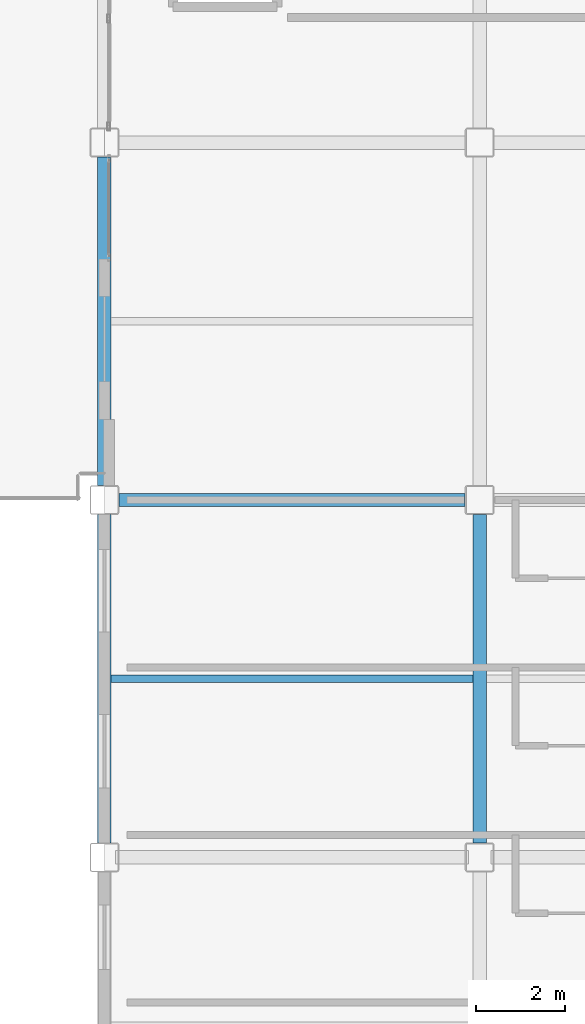
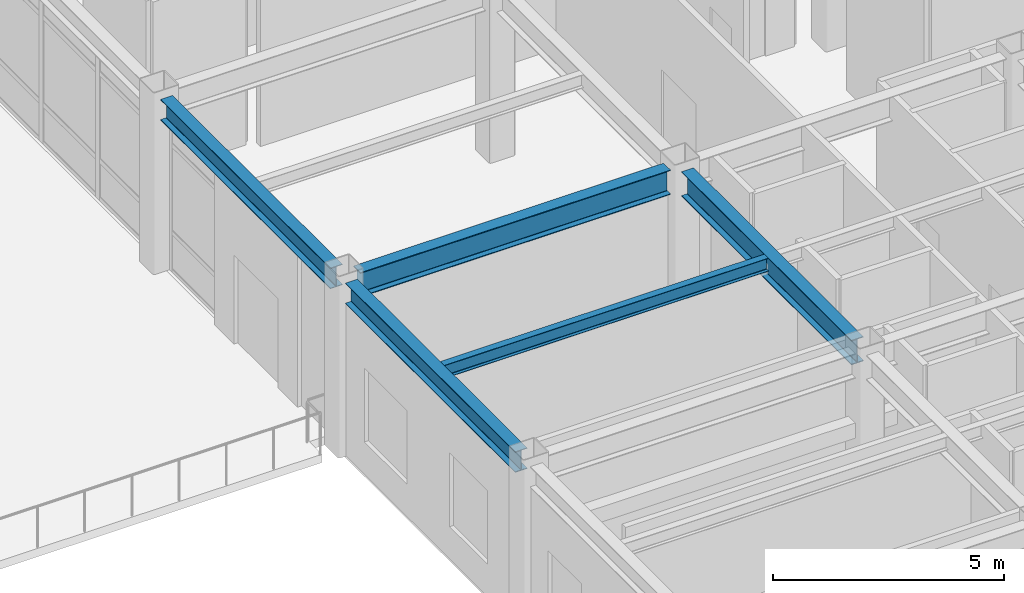
# One storey, part 16 of 61: 5 beams.
"""IFC4 building model written with IfcOpenShell, lengths in metres."""

import ifcopenshell
import ifcopenshell.guid

model = None  # the IFC model being written
_history = None  # IfcOwnerHistory: only IFC2X3 demands one
_inside = {}  # id of a spatial element -> (the spatial element, [elements in it])
_under = {}  # id of a project, library or spatial element -> (it, [spatial elements below it])
_declared = {}  # id of a project -> (the project, [libraries it declares])
_typed = {}  # id of a type object -> (the type object, [elements of that type])
_made_of = {}  # id of a material, layer set ... -> (it, [elements and type objects made of it])


def new_model(schema):
    """Start an empty IFC model of exactly this schema.

    Asked for "IFC4X3", IfcOpenShell would pick the latest addendum, in which some entities
    have other attributes; the version numbers below select the first issue.
    IFC2X3 requires an IfcOwnerHistory on every rooted entity: one is made here for all.
    """
    global model, _history
    if schema == "IFC4X3":
        model = ifcopenshell.file(schema_version=(4, 3, 0, 0))
    else:
        model = ifcopenshell.file(schema=schema)
    _inside.clear()
    _under.clear()
    _declared.clear()
    _typed.clear()
    _made_of.clear()
    _history = None
    if model.schema == "IFC2X3":
        org = make("IfcOrganization", Name="unknown")
        user = make(
            "IfcPersonAndOrganization",
            ThePerson=make("IfcPerson", FamilyName="unknown"),
            TheOrganization=org,
        )
        app = make(
            "IfcApplication",
            ApplicationDeveloper=org,
            Version="unknown",
            ApplicationFullName="unknown",
            ApplicationIdentifier="unknown",
        )
        _history = make(
            "IfcOwnerHistory",
            OwningUser=user,
            OwningApplication=app,
            ChangeAction="ADDED",
            CreationDate=0,
        )
    return model


def make(cls, **values):
    """One entity of the class cls with the attributes given. An attribute that is None is left unset."""
    return model.create_entity(
        cls, **{name: value for name, value in values.items() if value is not None}
    )


def rooted(cls, **values):
    """An entity with a GlobalId (a new one), such as an element, a storey or a relation."""
    return make(cls, GlobalId=ifcopenshell.guid.new(), OwnerHistory=_history, **values)


def si_unit(unit_type, name, prefix=None):
    """IfcSIUnit, for example si_unit("LENGTHUNIT", "METRE", prefix="MILLI")."""
    return make("IfcSIUnit", UnitType=unit_type, Prefix=prefix, Name=name)


def assignment(units):
    """IfcUnitAssignment: the units of a project."""
    return None if units is None else make("IfcUnitAssignment", Units=units)


def point(xyz):
    """IfcCartesianPoint."""
    return None if xyz is None else make("IfcCartesianPoint", Coordinates=xyz)


def direction(xyz):
    """IfcDirection."""
    return None if xyz is None else make("IfcDirection", DirectionRatios=xyz)


def frame(location, z_axis=None, x_axis=None):
    """IfcAxis2Placement3D, a coordinate frame: its origin and axes. An axis left out is left unset."""
    return make(
        "IfcAxis2Placement3D",
        Location=point(location),
        Axis=direction(z_axis),
        RefDirection=direction(x_axis),
    )


def frame_2d(location, x_axis=None):
    """IfcAxis2Placement2D, a coordinate frame in the plane: its origin and x axis."""
    return make(
        "IfcAxis2Placement2D", Location=point(location), RefDirection=direction(x_axis)
    )


def origin():
    """The frame at (0, 0, 0) with its axes left unset."""
    return frame((0.0, 0.0, 0.0))


def origin_2d():
    """The frame at (0, 0) in the plane with its x axis left unset."""
    return frame_2d((0.0, 0.0))


def place(relative_to, where):
    """IfcLocalPlacement: puts the frame where relative to a parent placement (None: the world)."""
    return make(
        "IfcLocalPlacement", PlacementRelTo=relative_to, RelativePlacement=where
    )


def context(
    kind, dimensions, precision=None, world=None, true_north=None, identifier=None
):
    """IfcGeometricRepresentationContext, for example the 3D "Model" context."""
    return make(
        "IfcGeometricRepresentationContext",
        ContextIdentifier=identifier,
        ContextType=kind,
        CoordinateSpaceDimension=dimensions,
        Precision=precision,
        WorldCoordinateSystem=world,
        TrueNorth=true_north,
    )


def subcontext(parent, identifier, kind, view, scale=None):
    """IfcGeometricRepresentationSubContext, for example "Body" below "Model"."""
    return make(
        "IfcGeometricRepresentationSubContext",
        ContextIdentifier=identifier,
        ContextType=kind,
        ParentContext=parent,
        TargetScale=scale,
        TargetView=view,
    )


def project(units=None, contexts=None):
    """IfcProject with its units and contexts."""
    return rooted(
        "IfcProject",
        Name="project",
        RepresentationContexts=contexts,
        UnitsInContext=assignment(units),
    )


def spatial(cls, under=None, at=None, **own):
    """A site, building, storey or space (cls), placed at a placement, below another one or the project."""
    s = rooted(cls, ObjectPlacement=at, **own)
    if under is not None:
        _under.setdefault(under.id(), (under, []))[1].append(s)
    return s


def profile(cls, at=None, kind="AREA", **sizes):
    """A parametric profile (cls). Its sizes go by their IFC names, for example OverallWidth=200.0."""
    return make(cls, ProfileType=kind, Position=at, **sizes)


def i_section(**sizes):
    """IfcIShapeProfileDef."""
    return profile("IfcIShapeProfileDef", **sizes)


def extrude(swept, where, along, depth):
    """IfcExtrudedAreaSolid: the profile swept, set in the frame where, extruded along a direction by depth."""
    return make(
        "IfcExtrudedAreaSolid",
        SweptArea=swept,
        Position=where,
        ExtrudedDirection=direction(along),
        Depth=depth,
    )


def shape(context_of_items, identifier, shape_type, items):
    """IfcShapeRepresentation: the items that make up one representation, for example the "Body"."""
    return make(
        "IfcShapeRepresentation",
        ContextOfItems=context_of_items,
        RepresentationIdentifier=identifier,
        RepresentationType=shape_type,
        Items=items,
    )


def material(Name=None, Category=None):
    """IfcMaterial."""
    return make("IfcMaterial", Name=Name, Category=Category)


def material_profile(
    of_material, cross_section, Name=None, Category=None, Priority=None
):
    """IfcMaterialProfile: a cross section and its material."""
    return make(
        "IfcMaterialProfile",
        Name=Name,
        Material=of_material,
        Profile=cross_section,
        Priority=Priority,
        Category=Category,
    )


def profile_set(profiles, Name=None, composite=None):
    """IfcMaterialProfileSet."""
    return make(
        "IfcMaterialProfileSet",
        Name=Name,
        MaterialProfiles=profiles,
        CompositeProfile=composite,
    )


def made_of(thing, what):
    """Note that an element or type object is made of a material, layer set ...; save() writes the relation."""
    if what is not None:
        _made_of.setdefault(what.id(), (what, []))[1].append(thing)
    return thing


def type_object(cls, material=None, **own):
    """A type object (cls), such as IfcWallType, which elements share."""
    return made_of(rooted(cls, **own), material)


def element(
    cls,
    number,
    at=None,
    inside=None,
    cuts=None,
    type_object=None,
    material=None,
    context=None,
    identifier="Body",
    shape_type=None,
    held_by="IfcProductDefinitionShape",
    body=None,
    shapes=None,
    **own,
):
    """One element of the class cls, such as IfcWall. Its Tag is "e" and its number.

    at: its placement. inside: the storey or other place that contains it. cuts: it is an
    opening in that element (IfcRelVoidsElement). A single representation is given by context,
    identifier, shape_type and body (its items); several are given by shapes. held_by: the class
    of the entity that holds the representations. save() writes the other relations.
    """
    e = rooted(cls, Tag="e%d" % number, ObjectPlacement=at, **own)
    if body is not None:
        shapes = [shape(context, identifier, shape_type, body)]
    if shapes is not None:
        e.Representation = make(held_by, Representations=shapes)
    if inside is not None:
        _inside.setdefault(inside.id(), (inside, []))[1].append(e)
    if cuts is not None:
        rooted(
            "IfcRelVoidsElement", RelatingBuildingElement=cuts, RelatedOpeningElement=e
        )
    if type_object is not None:
        _typed.setdefault(type_object.id(), (type_object, []))[1].append(e)
    return made_of(e, material)


def aggregate(whole, parts):
    """IfcRelAggregates: a whole, such as a stair, and the parts it consists of."""
    return rooted("IfcRelAggregates", RelatingObject=whole, RelatedObjects=parts)


def save(model, path):
    """Write the relations noted so far, then the file.

    IfcRelAggregates (storeys below a building ...), IfcRelContainedInSpatialStructure (elements
    in a storey), IfcRelDefinesByType, IfcRelAssociatesMaterial and IfcRelDeclares: one each for
    every whole, place, type object, material and project.
    """
    for whole, parts in _under.values():
        aggregate(whole, parts)
    for where, things in _inside.values():
        rooted(
            "IfcRelContainedInSpatialStructure",
            RelatedElements=things,
            RelatingStructure=where,
        )
    for kind, things in _typed.values():
        rooted("IfcRelDefinesByType", RelatedObjects=things, RelatingType=kind)
    for what, things in _made_of.values():
        rooted("IfcRelAssociatesMaterial", RelatedObjects=things, RelatingMaterial=what)
    for by, libraries in _declared.values():
        rooted("IfcRelDeclares", RelatingContext=by, RelatedDefinitions=libraries)
    model.write(path)


model = new_model("IFC4")

# Units and contexts
model_context = context("Model", 3, precision=1e-05, world=origin(), true_north=direction((0.0, 1.0)))
body_context = subcontext(model_context, "Body", "Model", "MODEL_VIEW")
ifc_project = project(units=[si_unit("LENGTHUNIT", "METRE"), si_unit("AREAUNIT", "SQUARE_METRE"), si_unit("VOLUMEUNIT", "CUBIC_METRE"), si_unit("PLANEANGLEUNIT", "RADIAN"), si_unit("MASSUNIT", "GRAM", prefix="KILO")], contexts=[model_context])

# Site, building, storey
site_placement = place(None, origin())
site = spatial("IfcSite", under=ifc_project, at=site_placement, CompositionType="ELEMENT")
building_placement = place(site_placement, origin())
building = spatial("IfcBuilding", under=site, at=building_placement, Name="Kazehara Bluff Congress Hotel", CompositionType="ELEMENT")
storey_placement = place(building_placement, frame((0.0, 0.0, 19.800048828125)))
storey = spatial("IfcBuildingStorey", under=building, at=storey_placement, Name="L04", CompositionType="ELEMENT", Elevation=19.800048828125)

# Beams
ifc_material_1 = material(Name="Steel SN490B", Category="steel")
ifc_material_profile_1 = material_profile(ifc_material_1, i_section(OverallWidth=0.300048828125, OverallDepth=0.64990234375, WebThickness=0.011962890625, FlangeThickness=0.02001953125, FilletRadius=0.012939453125, at=origin_2d()))
ifc_profile_set_1 = profile_set([ifc_material_profile_1], Name="Steel SN490B")
beam_type_1 = type_object("IfcBeamType", Name="TP-G-03", PredefinedType="BEAM", material=ifc_profile_set_1)
beam_1_placement = place(storey_placement, frame((152.10009765625, 8.324951171875, 4.2548828125), z_axis=(0.0, 1.0, 0.0), x_axis=(-1.0, 0.0, 0.0)))
element("IfcBeam", 1, at=beam_1_placement, inside=storey, type_object=beam_type_1, Name="L04 girder G-03 45", PredefinedType="BEAM", context=body_context, shape_type="SweptSolid", body=[
    extrude(i_section(OverallWidth=0.300048828125, OverallDepth=0.64990234375, WebThickness=0.011962890625, FlangeThickness=0.02001953125, FilletRadius=0.012939453125, at=origin_2d()), origin(), (0.0, 0.0, 1.0), 7.35009765625),
])
beam_2_placement = place(storey_placement, frame((144.02490234375, 16.0, 4.2548828125), z_axis=(1.0, 0.0, 0.0), x_axis=(0.0, 1.0, 0.0)))
element("IfcBeam", 2, at=beam_2_placement, inside=storey, type_object=beam_type_1, Name="L04 girder G-03 84", PredefinedType="BEAM", context=body_context, shape_type="SweptSolid", body=[
    extrude(i_section(OverallWidth=0.300048828125, OverallDepth=0.64990234375, WebThickness=0.011962890625, FlangeThickness=0.02001953125, FilletRadius=0.012939453125, at=origin_2d()), origin(), (0.0, 0.0, 1.0), 7.75),
])
ifc_material_2 = material(Name="Steel SN400B", Category="steel")
ifc_material_profile_2 = material_profile(ifc_material_2, i_section(OverallWidth=0.175048828125, OverallDepth=0.35009765625, WebThickness=0.007080078125, FlangeThickness=0.010986328125, FilletRadius=0.012939453125, at=origin_2d()))
ifc_profile_set_2 = profile_set([ifc_material_profile_2], Name="Steel SN400B")
beam_type_2 = type_object("IfcBeamType", Name="TP-J-02", PredefinedType="JOIST", material=ifc_profile_set_2)
beam_3_placement = place(storey_placement, frame((143.85009765625, 12.0, 4.405029296875), z_axis=(1.0, 0.0, 0.0), x_axis=(0.0, 1.0, 0.0)))
element("IfcBeam", 3, at=beam_3_placement, inside=storey, type_object=beam_type_2, Name="L04 secondary joist J-02 12", PredefinedType="JOIST", context=body_context, shape_type="SweptSolid", body=[
    extrude(i_section(OverallWidth=0.175048828125, OverallDepth=0.35009765625, WebThickness=0.007080078125, FlangeThickness=0.010986328125, FilletRadius=0.012939453125, at=origin_2d()), origin(), (0.0, 0.0, 1.0), 8.099853515625),
])
ifc_material_3 = material(Name="Steel SN490B", Category="steel")
ifc_material_profile_3 = material_profile(ifc_material_3, i_section(OverallWidth=0.300048828125, OverallDepth=0.550048828125, WebThickness=0.010986328125, FlangeThickness=0.01806640625, FilletRadius=0.012939453125, at=origin_2d()))
ifc_profile_set_3 = profile_set([ifc_material_profile_3], Name="Steel SN490B")
beam_type_3 = type_object("IfcBeamType", Name="TP-SP-01", PredefinedType="SPANDREL", material=ifc_profile_set_3)
for number, where, z_axis, x_axis, name in (
    (4, (143.699951171875, 8.324951171875, 4.304931640625), (0.0, 1.0, 0.0), (-1.0, 0.0, 0.0), "L04 girder SP-01 32"),
    (5, (143.699951171875, 16.324951171875, 4.304931640625), (0.0, 1.0, 0.0), (-1.0, 0.0, 0.0), "L04 girder SP-01 33"),
):
    element("IfcBeam", number, at=place(storey_placement, frame(where, z_axis=z_axis, x_axis=x_axis)), inside=storey, type_object=beam_type_3, Name=name, PredefinedType="SPANDREL", context=body_context, shape_type="SweptSolid", body=[
        extrude(i_section(OverallWidth=0.300048828125, OverallDepth=0.550048828125, WebThickness=0.010986328125, FlangeThickness=0.01806640625, FilletRadius=0.012939453125, at=origin_2d()), origin(), (0.0, 0.0, 1.0), 7.35009765625),
    ])

save(model, "model.ifc")
